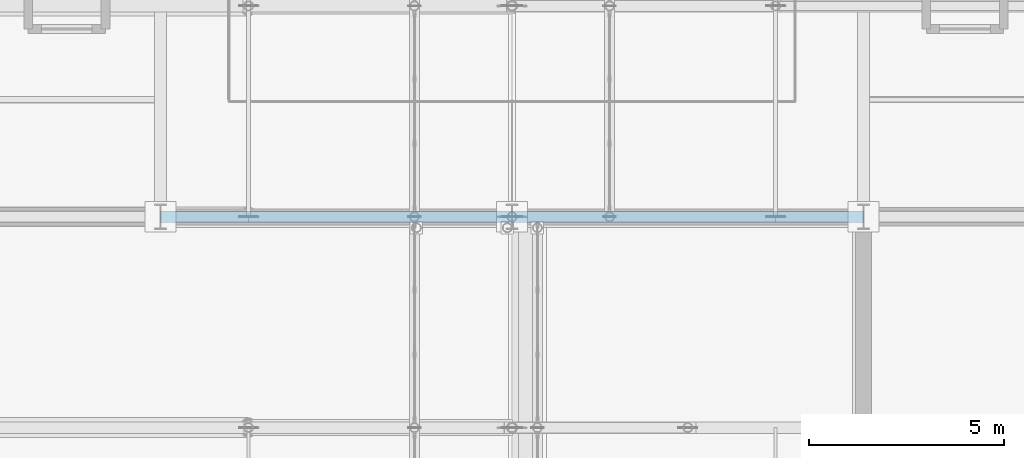
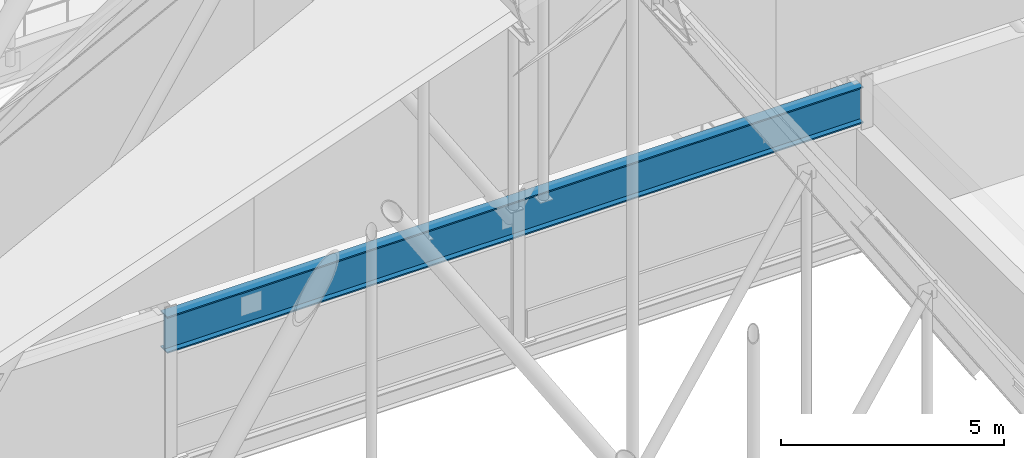
# One storey, part 28 of 84: 1 beam.
"""IFC4 building model written with IfcOpenShell, lengths in metres."""

from ifc_helpers import new_model, si_unit, direction, frame, origin, origin_2d, place, context, subcontext, project, spatial, i_section, extrude, material, material_profile, profile_set, type_object, element, save


model = new_model("IFC4")

# Units and contexts
model_context = context("Model", 3, precision=1e-05, world=origin(), true_north=direction((0.0, 1.0)))
body_context = subcontext(model_context, "Body", "Model", "MODEL_VIEW")
ifc_project = project(units=[si_unit("LENGTHUNIT", "METRE"), si_unit("AREAUNIT", "SQUARE_METRE"), si_unit("VOLUMEUNIT", "CUBIC_METRE"), si_unit("PLANEANGLEUNIT", "RADIAN"), si_unit("MASSUNIT", "GRAM", prefix="KILO")], contexts=[model_context])

# Site, building, storey
site_placement = place(None, origin())
site = spatial("IfcSite", under=ifc_project, at=site_placement, CompositionType="ELEMENT")
building_placement = place(site_placement, origin())
building = spatial("IfcBuilding", under=site, at=building_placement, Name="Sundgate Opera House", CompositionType="ELEMENT")
storey_placement = place(building_placement, frame((0.0, 0.0, 30.60009765625)))
storey = spatial("IfcBuildingStorey", under=building, at=storey_placement, Name="L06", CompositionType="ELEMENT", Elevation=30.60009765625)

# Beam
ifc_material = material(Name="Steel S355ML", Category="steel")
ifc_material_profile = material_profile(ifc_material, i_section(OverallWidth=0.300048828125, OverallDepth=1.0, WebThickness=0.01904296875, FlangeThickness=0.035888671875, at=origin_2d()), Name="HEB 1000")
ifc_profile_set = profile_set([ifc_material_profile], Name="Steel S355ML")
beam_type = type_object("IfcBeamType", Name="BM-TR-HEB1000", PredefinedType="BEAM", material=ifc_profile_set)
beam_placement = place(storey_placement, frame((45.0, 60.0, 3.289794921875), z_axis=(1.0, 0.0, 0.0), x_axis=(0.0, 1.0, 0.0)))
element("IfcBeam", 1, at=beam_placement, inside=storey, type_object=beam_type, Name="L06 Fly-Tower Step Gable Girder B3363", PredefinedType="BEAM", context=body_context, shape_type="SweptSolid", body=[
    extrude(i_section(OverallWidth=0.300048828125, OverallDepth=1.0, WebThickness=0.01904296875, FlangeThickness=0.035888671875, at=origin_2d()), origin(), (0.0, 0.0, 1.0), 18.0),
])

save(model, "model.ifc")
